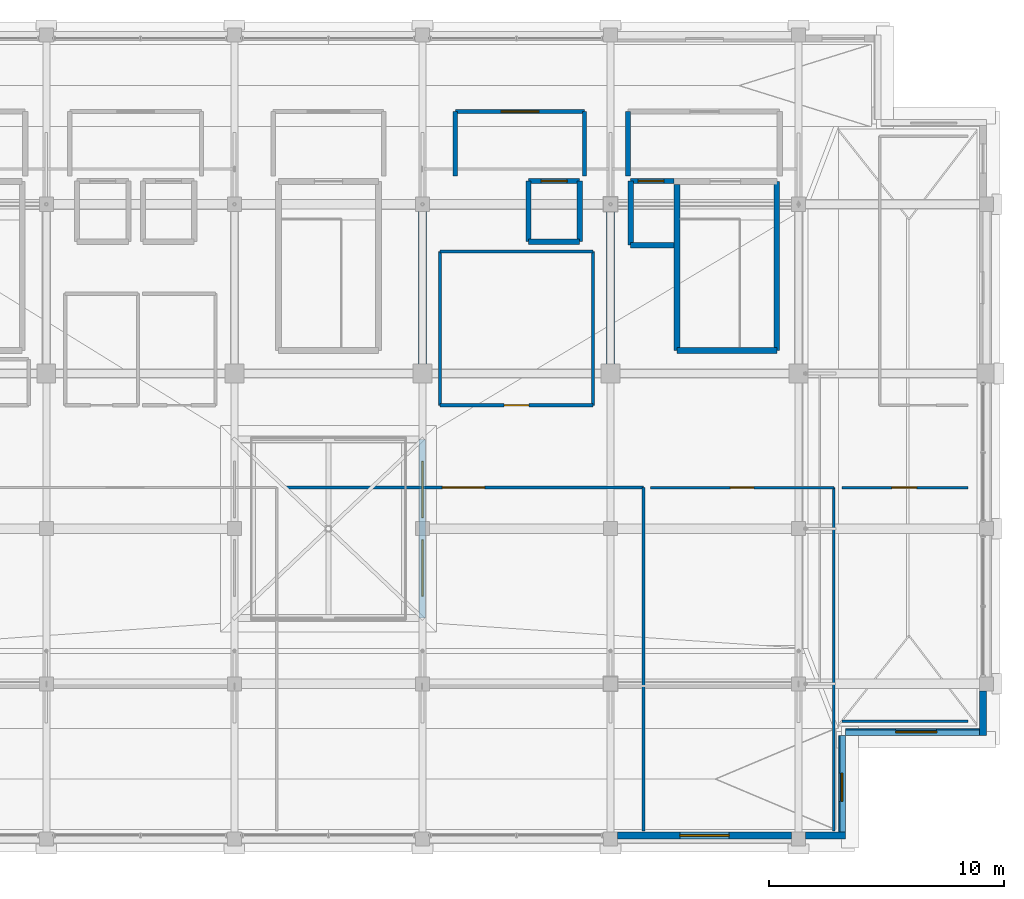
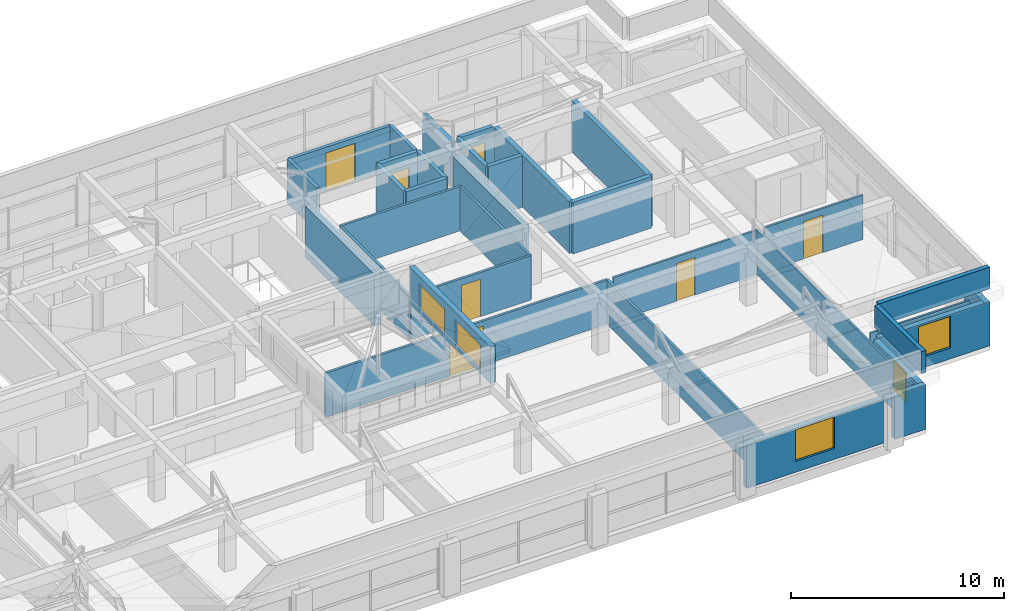
# One storey, part 36 of 39: 34 walls, 7 doors, 5 windows, 12 openings.
"""IFC4 building model written with IfcOpenShell, lengths in metres."""

from ifc_helpers import new_model, si_unit, direction, frame, frame_2d, origin, place, context, subcontext, project, spatial, rectangle, extrude, material, layer, layer_set, type_object, element, fill, save


model = new_model("IFC4")

# Units and contexts
model_context = context("Model", 3, precision=1e-05, world=origin(), true_north=direction((0.0, 1.0)))
body_context = subcontext(model_context, "Body", "Model", "MODEL_VIEW")
ifc_project = project(units=[si_unit("LENGTHUNIT", "METRE"), si_unit("AREAUNIT", "SQUARE_METRE"), si_unit("VOLUMEUNIT", "CUBIC_METRE"), si_unit("PLANEANGLEUNIT", "RADIAN"), si_unit("MASSUNIT", "GRAM", prefix="KILO")], contexts=[model_context])

# Site, building, storey
site_placement = place(None, origin())
site = spatial("IfcSite", under=ifc_project, at=site_placement, CompositionType="ELEMENT")
building_placement = place(site_placement, origin())
building = spatial("IfcBuilding", under=site, at=building_placement, Name="Akrevak Sports Hall", CompositionType="ELEMENT")
storey_placement = place(building_placement, frame((0.0, 0.0, 66.550048828125)))
storey = spatial("IfcBuildingStorey", under=building, at=storey_placement, Name="L17", CompositionType="ELEMENT", Elevation=66.550048828125)

# Wall, opening, window
ifc_material_1 = material(Name="Limestone Ashlar", Category="stone")
ifc_layer_1 = layer(ifc_material_1, 0.06005859375, Name="Limestone Ashlar")
ifc_material_2 = material(Name="Mineral Wool Thermal Insulation", Category="insulation")
ifc_layer_2 = layer(ifc_material_2, 0.090087890625, Name="Mineral Wool Thermal Insulation")
ifc_material_3 = material(Name="Concrete C40/50", Category="concrete")
ifc_layer_3 = layer(ifc_material_3, 0.14990234375, Name="Concrete C40/50")
ifc_layer_set_1 = layer_set([ifc_layer_1, ifc_layer_2, ifc_layer_3], Name="Limestone Ashlar / Mineral Wool Thermal Insulation / Concrete C40/50")
wall_type_1 = type_object("IfcWallType", Name="ARC-WL-EXT-300", PredefinedType="SOLIDWALL", material=ifc_layer_set_1)
wall_1_placement = place(storey_placement, frame((92.300048828125, 35.550048828125, 0.0), z_axis=(0.0, 0.0, 1.0), x_axis=(1.0, 0.0, 0.0)))
wall_1 = element("IfcWall", 1, at=wall_1_placement, inside=storey, type_object=wall_type_1, Name="Tower Stone Facade Wall L17-S06", PredefinedType="SOLIDWALL", context=body_context, shape_type="SweptSolid", body=[
    extrude(rectangle(XDim=7.39990234375, YDim=0.300048828125, at=frame_2d((3.699951171875, 0.0))), origin(), (0.0, 0.0, 1.0), 2.530029296875),
])
opening_1_placement = place(wall_1_placement, frame((2.64990234375, 0.0, 0.6201171875)))
opening_1 = element("IfcOpeningElement", 2, at=opening_1_placement, cuts=wall_1, Name="Opening WN-55", PredefinedType="OPENING", context=body_context, shape_type="SweptSolid", body=[
    extrude(rectangle(XDim=2.10009765625, YDim=1.81005859375, at=frame_2d((1.050048828125, 0.905029296875))), frame((0.0, 0.162109375, 0.0), z_axis=(0.0, -1.0, 0.0), x_axis=(1.0, 0.0, 0.0)), (0.0, 0.0, 1.0), 0.323974609375),
])
ifc_material_4 = material(Name="Thermally Broken Bronze Frame & Double Low-E Glass", Category="glass")
window_type_1 = type_object("IfcWindowType", Name="ARC-WIN-SZ-2100x1810", PartitioningType="SINGLE_PANEL", PredefinedType="WINDOW", material=ifc_material_4)
window_1_placement = place(opening_1_placement, origin())
window_1 = element("IfcWindow", 3, at=window_1_placement, inside=storey, type_object=window_type_1, Name="Tower Window L17-S06", OverallHeight=1.81005859375, OverallWidth=2.10009765625, PartitioningType="SINGLE_PANEL", PredefinedType="WINDOW", context=body_context, shape_type="SweptSolid", body=[
    extrude(rectangle(XDim=2.10009765625, YDim=1.81005859375, at=frame_2d((1.050048828125, 0.905029296875))), frame((0.0, 0.030029296875, 0.0), z_axis=(0.0, -1.0, 0.0), x_axis=(1.0, 0.0, 0.0)), (0.0, 0.0, 1.0), 0.06005859375),
])
fill(opening_1, window_1)

# Wall
wall_2_placement = place(storey_placement, frame((100.300048828125, 35.550048828125, 0.0), z_axis=(0.0, 0.0, 1.0), x_axis=(1.0, 0.0, 0.0)))
element("IfcWall", 4, at=wall_2_placement, inside=storey, type_object=wall_type_1, Name="Tower Stone Facade Wall L17-S07", PredefinedType="SOLIDWALL", context=body_context, shape_type="SweptSolid", body=[
    extrude(rectangle(XDim=1.699951171875, YDim=0.300048828125, at=frame_2d((0.85009765625, 0.0))), origin(), (0.0, 0.0, 1.0), 2.530029296875),
])

# Wall, opening, window
wall_3_placement = place(storey_placement, frame((101.85009765625, 35.39990234375, 0.0), z_axis=(0.0, 0.0, 1.0), x_axis=(0.0, 1.0, 0.0)))
wall_3 = element("IfcWall", 5, at=wall_3_placement, inside=storey, type_object=wall_type_1, Name="Tower Stone Facade Wall L17-E08", PredefinedType="SOLIDWALL", context=body_context, shape_type="SweptSolid", body=[
    extrude(rectangle(XDim=4.400146484375, YDim=0.300048828125, at=frame_2d((2.2001953125, 0.0))), origin(), (0.0, 0.0, 1.0), 2.530029296875),
])
opening_2_placement = place(wall_3_placement, frame((1.60009765625, 0.0, 0.6201171875)))
opening_2 = element("IfcOpeningElement", 6, at=opening_2_placement, cuts=wall_3, Name="Opening WN-13", PredefinedType="OPENING", context=body_context, shape_type="SweptSolid", body=[
    extrude(rectangle(XDim=1.199951171875, YDim=1.699951171875, at=frame_2d((0.60009765625, 0.85009765625))), frame((0.0, 0.162109375, 0.0), z_axis=(0.0, -1.0, 0.0), x_axis=(1.0, 0.0, 0.0)), (0.0, 0.0, 1.0), 0.323974609375),
])
window_type_2 = type_object("IfcWindowType", Name="ARC-WIN-TW-120x170", PartitioningType="SINGLE_PANEL", PredefinedType="WINDOW", material=ifc_material_4)
window_2_placement = place(opening_2_placement, origin())
window_2 = element("IfcWindow", 7, at=window_2_placement, inside=storey, type_object=window_type_2, Name="Tower Window L17-E08", OverallHeight=1.699951171875, OverallWidth=1.199951171875, PartitioningType="SINGLE_PANEL", PredefinedType="WINDOW", context=body_context, shape_type="SweptSolid", body=[
    extrude(rectangle(XDim=1.199951171875, YDim=1.699951171875, at=frame_2d((0.60009765625, 0.85009765625))), frame((0.0, 0.030029296875, 0.0), z_axis=(0.0, -1.0, 0.0), x_axis=(1.0, 0.0, 0.0)), (0.0, 0.0, 1.0), 0.06005859375),
])
fill(opening_2, window_2)

wall_4_placement = place(storey_placement, frame((102.0, 39.949951171875, 0.0), z_axis=(0.0, 0.0, 1.0), x_axis=(1.0, 0.0, 0.0)))
wall_4 = element("IfcWall", 8, at=wall_4_placement, inside=storey, type_object=wall_type_1, Name="Tower Stone Facade Wall L17-S09", PredefinedType="SOLIDWALL", context=body_context, shape_type="SweptSolid", body=[
    extrude(rectangle(XDim=6.0, YDim=0.300048828125, at=frame_2d((3.0, 0.0))), origin(), (0.0, 0.0, 1.0), 2.530029296875),
])
opening_3_placement = place(wall_4_placement, frame((2.125, 0.0, 0.6201171875)))
opening_3 = element("IfcOpeningElement", 9, at=opening_3_placement, cuts=wall_4, Name="Opening WN-56", PredefinedType="OPENING", context=body_context, shape_type="SweptSolid", body=[
    extrude(rectangle(XDim=1.75, YDim=1.81005859375, at=frame_2d((0.875, 0.905029296875))), frame((0.0, 0.162109375, 0.0), z_axis=(0.0, -1.0, 0.0), x_axis=(1.0, 0.0, 0.0)), (0.0, 0.0, 1.0), 0.323974609375),
])
window_type_3 = type_object("IfcWindowType", Name="ARC-WIN-SZ-1750x1810", PartitioningType="SINGLE_PANEL", PredefinedType="WINDOW", material=ifc_material_4)
window_3_placement = place(opening_3_placement, origin())
window_3 = element("IfcWindow", 10, at=window_3_placement, inside=storey, type_object=window_type_3, Name="Tower Window L17-S09", OverallHeight=1.81005859375, OverallWidth=1.75, PartitioningType="SINGLE_PANEL", PredefinedType="WINDOW", context=body_context, shape_type="SweptSolid", body=[
    extrude(rectangle(XDim=1.75, YDim=1.81005859375, at=frame_2d((0.875, 0.905029296875))), frame((0.0, 0.030029296875, 0.0), z_axis=(0.0, -1.0, 0.0), x_axis=(1.0, 0.0, 0.0)), (0.0, 0.0, 1.0), 0.06005859375),
])
fill(opening_3, window_3)

# Walls
wall_5_placement = place(storey_placement, frame((107.85009765625, 39.800048828125, 0.0), z_axis=(0.0, 0.0, 1.0), x_axis=(0.0, 1.0, 0.0)))
element("IfcWall", 11, at=wall_5_placement, inside=storey, type_object=wall_type_1, Name="Tower Stone Facade Wall L17-E10", PredefinedType="SOLIDWALL", context=body_context, shape_type="SweptSolid", body=[
    extrude(rectangle(XDim=1.89990234375, YDim=0.300048828125, at=frame_2d((0.949951171875, 0.0))), origin(), (0.0, 0.0, 1.0), 2.530029296875),
])
ifc_layer_4 = layer(ifc_material_1, 0.050048828125, Name="Limestone Ashlar")
ifc_layer_5 = layer(ifc_material_2, 0.0400390625, Name="Mineral Wool Thermal Insulation")
ifc_layer_6 = layer(ifc_material_3, 0.14990234375, Name="Concrete C40/50")
ifc_layer_set_2 = layer_set([ifc_layer_4, ifc_layer_5, ifc_layer_6], Name="Limestone Ashlar / Mineral Wool Thermal Insulation / Concrete C40/50")
wall_type_2 = type_object("IfcWallType", Name="ARC-WL-PAR-240", PredefinedType="PARAPET", material=ifc_layer_set_2)
wall_6_placement = place(storey_placement, frame((101.8798828125, 35.39990234375, 3.25), z_axis=(0.0, 0.0, 1.0), x_axis=(0.0, 1.0, 0.0)))
element("IfcWall", 12, at=wall_6_placement, inside=storey, type_object=wall_type_2, Name="Crown Main Roof Balustrade Parapet 2", PredefinedType="PARAPET", context=body_context, shape_type="SweptSolid", body=[
    extrude(rectangle(XDim=4.400146484375, YDim=0.239990234375, at=frame_2d((2.2001953125, 0.0))), origin(), (0.0, 0.0, 1.0), 1.25),
])
wall_7_placement = place(storey_placement, frame((102.0, 39.919921875, 3.25), z_axis=(0.0, 0.0, 1.0), x_axis=(1.0, 0.0, 0.0)))
element("IfcWall", 13, at=wall_7_placement, inside=storey, type_object=wall_type_2, Name="Crown Main Roof Balustrade Parapet 3", PredefinedType="PARAPET", context=body_context, shape_type="SweptSolid", body=[
    extrude(rectangle(XDim=6.0, YDim=0.239990234375, at=frame_2d((3.0, 0.0))), origin(), (0.0, 0.0, 1.0), 1.25),
])

# Wall, openings, windows
ifc_layer_7 = layer(ifc_material_1, 0.06005859375, Name="Limestone Ashlar")
ifc_layer_8 = layer(ifc_material_2, 0.0400390625, Name="Mineral Wool Thermal Insulation")
ifc_layer_9 = layer(ifc_material_3, 0.179931640625, Name="Concrete C40/50")
ifc_layer_set_3 = layer_set([ifc_layer_7, ifc_layer_8, ifc_layer_9], Name="Limestone Ashlar / Mineral Wool Thermal Insulation / Concrete C40/50")
wall_type_3 = type_object("IfcWallType", Name="ARC-WL-PAR-280", PredefinedType="PARAPET", material=ifc_layer_set_3)
wall_8_placement = place(storey_placement, frame((84.0, 44.800048828125, 3.25), z_axis=(0.0, 0.0, 1.0), x_axis=(0.0, 1.0, 0.0)))
wall_8 = element("IfcWall", 14, at=wall_8_placement, inside=storey, type_object=wall_type_3, Name="Crown Beaux-Arts Cupola Lantern Drum E Wall", PredefinedType="PARAPET", context=body_context, shape_type="SweptSolid", body=[
    extrude(rectangle(XDim=7.599853515625, YDim=0.280029296875, at=frame_2d((3.7998046875, 0.0))), origin(), (0.0, 0.0, 1.0), 2.099853515625),
])
opening_4_placement = place(wall_8_placement, frame((0.927978515625, 0.0, 0.199951171875)))
opening_4 = element("IfcOpeningElement", 15, at=opening_4_placement, cuts=wall_8, Name="Opening WN-63", PredefinedType="OPENING", context=body_context, shape_type="SweptSolid", body=[
    extrude(rectangle(XDim=2.39990234375, YDim=1.449951171875, at=frame_2d((1.199951171875, 0.72509765625))), frame((0.0, 0.15185546875, 0.0), z_axis=(0.0, -1.0, 0.0), x_axis=(1.0, 0.0, 0.0)), (0.0, 0.0, 1.0), 0.303955078125),
])
opening_5_placement = place(wall_8_placement, frame((4.27197265625, 0.0, 0.199951171875)))
opening_5 = element("IfcOpeningElement", 16, at=opening_5_placement, cuts=wall_8, Name="Opening WN-63", PredefinedType="OPENING", context=body_context, shape_type="SweptSolid", body=[
    extrude(rectangle(XDim=2.39990234375, YDim=1.449951171875, at=frame_2d((1.199951171875, 0.72509765625))), frame((0.0, 0.15185546875, 0.0), z_axis=(0.0, -1.0, 0.0), x_axis=(1.0, 0.0, 0.0)), (0.0, 0.0, 1.0), 0.303955078125),
])
window_type_4 = type_object("IfcWindowType", Name="ARC-WIN-SZ-2400x1450", PartitioningType="SINGLE_PANEL", PredefinedType="SKYLIGHT", material=ifc_material_4)
window_4_placement = place(opening_4_placement, origin())
window_4 = element("IfcWindow", 17, at=window_4_placement, inside=storey, type_object=window_type_4, Name="Cupola Lantern Skylight E.1", OverallHeight=1.449951171875, OverallWidth=2.39990234375, PartitioningType="SINGLE_PANEL", PredefinedType="SKYLIGHT", context=body_context, shape_type="SweptSolid", body=[
    extrude(rectangle(XDim=2.39990234375, YDim=1.449951171875, at=frame_2d((1.199951171875, 0.72509765625))), frame((0.0, 0.030029296875, 0.0), z_axis=(0.0, -1.0, 0.0), x_axis=(1.0, 0.0, 0.0)), (0.0, 0.0, 1.0), 0.06005859375),
])
fill(opening_4, window_4)
window_5_placement = place(opening_5_placement, origin())
window_5 = element("IfcWindow", 18, at=window_5_placement, inside=storey, type_object=window_type_4, Name="Cupola Lantern Skylight E.2", OverallHeight=1.449951171875, OverallWidth=2.39990234375, PartitioningType="SINGLE_PANEL", PredefinedType="SKYLIGHT", context=body_context, shape_type="SweptSolid", body=[
    extrude(rectangle(XDim=2.39990234375, YDim=1.449951171875, at=frame_2d((1.199951171875, 0.72509765625))), frame((0.0, 0.030029296875, 0.0), z_axis=(0.0, -1.0, 0.0), x_axis=(1.0, 0.0, 0.0)), (0.0, 0.0, 1.0), 0.06005859375),
])
fill(opening_5, window_5)

# Wall, opening, door
ifc_material_5 = material(Name="Lightweight Office Partition", Category="gypsum")
ifc_layer_10 = layer(ifc_material_5, 0.110107421875, Name="Lightweight Office Partition")
ifc_layer_set_4 = layer_set([ifc_layer_10], Name="Lightweight Office Partition")
wall_type_4 = type_object("IfcWallType", Name="ARC-WL-PRT-110", PredefinedType="PARTITIONING", material=ifc_layer_set_4)
wall_9_placement = place(storey_placement, frame((93.699951171875, 50.35009765625, 0.0), z_axis=(0.0, 0.0, 1.0), x_axis=(1.0, 0.0, 0.0)))
wall_9 = element("IfcWall", 19, at=wall_9_placement, inside=storey, type_object=wall_type_4, Name="Interior Partition Executive Summit Boardroom (L17) (N)", PredefinedType="PARTITIONING", context=body_context, shape_type="SweptSolid", body=[
    extrude(rectangle(XDim=7.800048828125, YDim=0.110107421875, at=frame_2d((3.89990234375, 0.0))), origin(), (0.0, 0.0, 1.0), 2.530029296875),
])
opening_6_placement = place(wall_9_placement, frame((3.39990234375, 0.0, 0.0)))
opening_6 = element("IfcOpeningElement", 20, at=opening_6_placement, cuts=wall_9, Name="Opening ID-06", PredefinedType="OPENING", context=body_context, shape_type="SweptSolid", body=[
    extrude(rectangle(XDim=1.0, YDim=2.14990234375, at=frame_2d((0.5, 1.074951171875))), frame((0.0, 0.06689453125, 0.0), z_axis=(0.0, -1.0, 0.0), x_axis=(1.0, 0.0, 0.0)), (0.0, 0.0, 1.0), 0.134033203125),
])
ifc_material_6 = material(Name="Hardwood Oak Acoustic Leaf", Category="wood")
door_type_1 = type_object("IfcDoorType", Name="ARC-DR-OFF-100x215", OperationType="NOTDEFINED", PredefinedType="DOOR", material=ifc_material_6)
door_1_placement = place(opening_6_placement, origin())
door_1 = element("IfcDoor", 21, at=door_1_placement, inside=storey, type_object=door_type_1, Name="Door to Executive Summit Boardroom (L17)", OperationType="SINGLE_SWING_LEFT", OverallHeight=2.14990234375, OverallWidth=1.0, PredefinedType="DOOR", context=body_context, shape_type="SweptSolid", body=[
    extrude(rectangle(XDim=1.0, YDim=2.14990234375, at=frame_2d((0.5, 1.074951171875))), frame((0.0, 0.02490234375, 0.0), z_axis=(0.0, -1.0, 0.0), x_axis=(1.0, 0.0, 0.0)), (0.0, 0.0, 1.0), 0.050048828125),
])
fill(opening_6, door_1)

# Walls
wall_10_placement = place(storey_placement, frame((101.5, 35.75, 0.0), z_axis=(0.0, 0.0, 1.0), x_axis=(0.0, 1.0, 0.0)))
element("IfcWall", 22, at=wall_10_placement, inside=storey, type_object=wall_type_4, Name="Interior Partition Executive Summit Boardroom (L17) (E)", PredefinedType="PARTITIONING", context=body_context, shape_type="SweptSolid", body=[
    extrude(rectangle(XDim=14.60009765625, YDim=0.110107421875, at=frame_2d((7.300048828125, 0.0))), origin(), (0.0, 0.0, 1.0), 2.530029296875),
])
wall_11_placement = place(storey_placement, frame((101.85009765625, 40.39990234375, 0.0), z_axis=(0.0, 0.0, 1.0), x_axis=(1.0, 0.0, 0.0)))
element("IfcWall", 23, at=wall_11_placement, inside=storey, type_object=wall_type_4, Name="Interior Partition International Summit Secretariat East (L17) (S)", PredefinedType="PARTITIONING", context=body_context, shape_type="SweptSolid", body=[
    extrude(rectangle(XDim=5.349853515625, YDim=0.110107421875, at=frame_2d((2.6748046875, 0.0))), origin(), (0.0, 0.0, 1.0), 2.530029296875),
])

# Wall, opening, door
wall_12_placement = place(storey_placement, frame((101.85009765625, 50.35009765625, 0.0), z_axis=(0.0, 0.0, 1.0), x_axis=(1.0, 0.0, 0.0)))
wall_12 = element("IfcWall", 24, at=wall_12_placement, inside=storey, type_object=wall_type_4, Name="Interior Partition International Summit Secretariat East (L17) (N)", PredefinedType="PARTITIONING", context=body_context, shape_type="SweptSolid", body=[
    extrude(rectangle(XDim=5.349853515625, YDim=0.110107421875, at=frame_2d((2.6748046875, 0.0))), origin(), (0.0, 0.0, 1.0), 2.530029296875),
])
opening_7_placement = place(wall_12_placement, frame((2.125, 0.0, 0.0)))
opening_7 = element("IfcOpeningElement", 25, at=opening_7_placement, cuts=wall_12, Name="Opening ID-05", PredefinedType="OPENING", context=body_context, shape_type="SweptSolid", body=[
    extrude(rectangle(XDim=1.050048828125, YDim=2.14990234375, at=frame_2d((0.52490234375, 1.074951171875))), frame((0.0, 0.06689453125, 0.0), z_axis=(0.0, -1.0, 0.0), x_axis=(1.0, 0.0, 0.0)), (0.0, 0.0, 1.0), 0.134033203125),
])
door_type_2 = type_object("IfcDoorType", Name="ARC-DR-OFF-105x215", OperationType="NOTDEFINED", PredefinedType="DOOR", material=ifc_material_6)
door_2_placement = place(opening_7_placement, origin())
door_2 = element("IfcDoor", 26, at=door_2_placement, inside=storey, type_object=door_type_2, Name="Door to International Summit Secretariat East (L17)", OperationType="SINGLE_SWING_LEFT", OverallHeight=2.14990234375, OverallWidth=1.050048828125, PredefinedType="DOOR", context=body_context, shape_type="SweptSolid", body=[
    extrude(rectangle(XDim=1.050048828125, YDim=2.14990234375, at=frame_2d((0.52490234375, 1.074951171875))), frame((0.0, 0.02490234375, 0.0), z_axis=(0.0, -1.0, 0.0), x_axis=(1.0, 0.0, 0.0)), (0.0, 0.0, 1.0), 0.050048828125),
])
fill(opening_7, door_2)

ifc_material_7 = material(Name="Acoustic Metal Stud Partition", Category="gypsum")
ifc_layer_11 = layer(ifc_material_7, 0.1298828125, Name="Acoustic Metal Stud Partition")
ifc_layer_set_5 = layer_set([ifc_layer_11], Name="Acoustic Metal Stud Partition")
wall_type_5 = type_object("IfcWallType", Name="ARC-WL-PRT-130", PredefinedType="PARTITIONING", material=ifc_layer_set_5)
wall_13_placement = place(storey_placement, frame((78.10009765625, 50.35009765625, 0.0), z_axis=(0.0, 0.0, 1.0), x_axis=(1.0, 0.0, 0.0)))
wall_13 = element("IfcWall", 27, at=wall_13_placement, inside=storey, type_object=wall_type_5, Name="Interior Partition Crown Panorama Honors Gallery (L17) (N)", PredefinedType="PARTITIONING", context=body_context, shape_type="SweptSolid", body=[
    extrude(rectangle(XDim=15.2998046875, YDim=0.1298828125, at=frame_2d((7.64990234375, 0.0))), origin(), (0.0, 0.0, 1.0), 2.530029296875),
])
opening_8_placement = place(wall_13_placement, frame((6.75, 0.0, 0.0)))
opening_8 = element("IfcOpeningElement", 28, at=opening_8_placement, cuts=wall_13, Name="Opening ID-02", PredefinedType="OPENING", context=body_context, shape_type="SweptSolid", body=[
    extrude(rectangle(XDim=1.800048828125, YDim=2.25, at=frame_2d((0.89990234375, 1.125))), frame((0.0, 0.076904296875, 0.0), z_axis=(0.0, -1.0, 0.0), x_axis=(1.0, 0.0, 0.0)), (0.0, 0.0, 1.0), 0.15380859375),
])
ifc_material_8 = material(Name="Hardwood Oak & Safety Glass", Category="wood")
door_type_3 = type_object("IfcDoorType", Name="ARC-DR-HALL-180x225", OperationType="DOUBLE_DOOR_SINGLE_SWING", PredefinedType="DOOR", material=ifc_material_8)
door_3_placement = place(opening_8_placement, origin())
door_3 = element("IfcDoor", 29, at=door_3_placement, inside=storey, type_object=door_type_3, Name="Door to Crown Panorama Honors Gallery (L17)", OperationType="DOUBLE_DOOR_SINGLE_SWING", OverallHeight=2.25, OverallWidth=1.800048828125, PredefinedType="DOOR", context=body_context, shape_type="SweptSolid", body=[
    extrude(rectangle(XDim=1.800048828125, YDim=2.25, at=frame_2d((0.89990234375, 1.125))), frame((0.0, 0.02490234375, 0.0), z_axis=(0.0, -1.0, 0.0), x_axis=(1.0, 0.0, 0.0)), (0.0, 0.0, 1.0), 0.050048828125),
])
fill(opening_8, door_3)

# Wall
wall_14_placement = place(storey_placement, frame((93.39990234375, 35.75, 0.0), z_axis=(0.0, 0.0, 1.0), x_axis=(0.0, 1.0, 0.0)))
element("IfcWall", 30, at=wall_14_placement, inside=storey, type_object=wall_type_5, Name="Interior Partition Crown Panorama Honors Gallery (L17) (E)", PredefinedType="PARTITIONING", context=body_context, shape_type="SweptSolid", body=[
    extrude(rectangle(XDim=14.60009765625, YDim=0.1298828125, at=frame_2d((7.300048828125, 0.0))), origin(), (0.0, 0.0, 1.0), 2.530029296875),
])

# Wall, opening, door
wall_15_placement = place(storey_placement, frame((84.75, 53.85009765625, 0.0), z_axis=(0.0, 0.0, 1.0), x_axis=(1.0, 0.0, 0.0)))
wall_15 = element("IfcWall", 31, at=wall_15_placement, inside=storey, type_object=wall_type_5, Name="Interior Partition Federation Officiating Office East (L17) (S)", PredefinedType="PARTITIONING", context=body_context, shape_type="SweptSolid", body=[
    extrude(rectangle(XDim=6.5, YDim=0.1298828125, at=frame_2d((3.25, 0.0))), origin(), (0.0, 0.0, 1.0), 2.530029296875),
])
opening_9_placement = place(wall_15_placement, frame((2.72509765625, 0.0, 0.0)))
opening_9 = element("IfcOpeningElement", 32, at=opening_9_placement, cuts=wall_15, Name="Opening ID-05", PredefinedType="OPENING", context=body_context, shape_type="SweptSolid", body=[
    extrude(rectangle(XDim=1.050048828125, YDim=2.14990234375, at=frame_2d((0.52490234375, 1.074951171875))), frame((0.0, 0.076904296875, 0.0), z_axis=(0.0, -1.0, 0.0), x_axis=(1.0, 0.0, 0.0)), (0.0, 0.0, 1.0), 0.15380859375),
])
door_4_placement = place(opening_9_placement, frame((1.050048828125, 0.0, 0.0), z_axis=(0.0, 0.0, 1.0), x_axis=(-1.0, 0.0, 0.0)))
door_4 = element("IfcDoor", 33, at=door_4_placement, inside=storey, type_object=door_type_2, Name="Door to Federation Officiating Office East (L17)", OperationType="SINGLE_SWING_RIGHT", OverallHeight=2.14990234375, OverallWidth=1.050048828125, PredefinedType="DOOR", context=body_context, shape_type="SweptSolid", body=[
    extrude(rectangle(XDim=1.050048828125, YDim=2.14990234375, at=frame_2d((0.52490234375, 1.074951171875))), frame((0.0, 0.02490234375, 0.0), z_axis=(0.0, -1.0, 0.0), x_axis=(1.0, 0.0, 0.0)), (0.0, 0.0, 1.0), 0.050048828125),
])
fill(opening_9, door_4)

# Walls
wall_16_placement = place(storey_placement, frame((84.75, 60.39990234375, 0.0), z_axis=(0.0, 0.0, 1.0), x_axis=(1.0, 0.0, 0.0)))
element("IfcWall", 34, at=wall_16_placement, inside=storey, type_object=wall_type_5, Name="Interior Partition Federation Officiating Office East (L17) (N)", PredefinedType="PARTITIONING", context=body_context, shape_type="SweptSolid", body=[
    extrude(rectangle(XDim=6.5, YDim=0.1298828125, at=frame_2d((3.25, 0.0))), origin(), (0.0, 0.0, 1.0), 2.530029296875),
])
for number, where, z_axis, x_axis, name in (
    (35, (84.75, 53.85009765625, 0.0), (0.0, 0.0, 1.0), (0.0, 1.0, 0.0), "Interior Partition Federation Officiating Office East (L17) (W)"),
    (36, (91.25, 53.85009765625, 0.0), (0.0, 0.0, 1.0), (0.0, 1.0, 0.0), "Interior Partition Federation Officiating Office East (L17) (E)"),
):
    element("IfcWall", number, at=place(storey_placement, frame(where, z_axis=z_axis, x_axis=x_axis)), inside=storey, type_object=wall_type_5, Name=name, PredefinedType="PARTITIONING", context=body_context, shape_type="SweptSolid", body=[
        extrude(rectangle(XDim=6.5498046875, YDim=0.1298828125, at=frame_2d((3.27490234375, 0.0))), origin(), (0.0, 0.0, 1.0), 2.530029296875),
    ])

# Wall, opening, door
ifc_material_9 = material(Name="Autoclaved Aerated Masonry Block", Category="masonry")
ifc_layer_12 = layer(ifc_material_9, 0.179931640625, Name="Autoclaved Aerated Masonry Block")
ifc_layer_set_6 = layer_set([ifc_layer_12], Name="Autoclaved Aerated Masonry Block")
wall_type_6 = type_object("IfcWallType", Name="ARC-WL-PRT-180", PredefinedType="PARTITIONING", material=ifc_layer_set_6)
wall_17_placement = place(storey_placement, frame((85.39990234375, 66.35009765625, 0.0), z_axis=(0.0, 0.0, 1.0), x_axis=(1.0, 0.0, 0.0)))
wall_17 = element("IfcWall", 37, at=wall_17_placement, inside=storey, type_object=wall_type_6, Name="Interior Partition East Passenger Lift Lobby L17 (N)", PredefinedType="PARTITIONING", context=body_context, shape_type="SweptSolid", body=[
    extrude(rectangle(XDim=5.5, YDim=0.179931640625, at=frame_2d((2.75, 0.0))), origin(), (0.0, 0.0, 1.0), 2.530029296875),
])
opening_10_placement = place(wall_17_placement, frame((1.949951171875, 0.0, 0.0)))
opening_10 = element("IfcOpeningElement", 38, at=opening_10_placement, cuts=wall_17, Name="Opening ID-03", PredefinedType="OPENING", context=body_context, shape_type="SweptSolid", body=[
    extrude(rectangle(XDim=1.60009765625, YDim=2.199951171875, at=frame_2d((0.800048828125, 1.10009765625))), frame((0.0, 0.10205078125, 0.0), z_axis=(0.0, -1.0, 0.0), x_axis=(1.0, 0.0, 0.0)), (0.0, 0.0, 1.0), 0.203857421875),
])
door_type_4 = type_object("IfcDoorType", Name="ARC-DR-HALL-160x220", OperationType="DOUBLE_DOOR_SINGLE_SWING", PredefinedType="DOOR", material=ifc_material_8)
door_5_placement = place(opening_10_placement, origin())
door_5 = element("IfcDoor", 39, at=door_5_placement, inside=storey, type_object=door_type_4, Name="Door to East Passenger Lift Lobby L17", OperationType="DOUBLE_DOOR_SINGLE_SWING", OverallHeight=2.199951171875, OverallWidth=1.60009765625, PredefinedType="DOOR", context=body_context, shape_type="SweptSolid", body=[
    extrude(rectangle(XDim=1.60009765625, YDim=2.199951171875, at=frame_2d((0.800048828125, 1.10009765625))), frame((0.0, 0.02490234375, 0.0), z_axis=(0.0, -1.0, 0.0), x_axis=(1.0, 0.0, 0.0)), (0.0, 0.0, 1.0), 0.050048828125),
])
fill(opening_10, door_5)

# Walls
for number, where, z_axis, x_axis, name in (
    (40, (85.39990234375, 63.60009765625, 0.0), (0.0, 0.0, 1.0), (0.0, 1.0, 0.0), "Interior Partition East Passenger Lift Lobby L17 (W)"),
    (41, (90.89990234375, 63.60009765625, 0.0), (0.0, 0.0, 1.0), (0.0, 1.0, 0.0), "Interior Partition East Passenger Lift Lobby L17 (E)"),
):
    element("IfcWall", number, at=place(storey_placement, frame(where, z_axis=z_axis, x_axis=x_axis)), inside=storey, type_object=wall_type_6, Name=name, PredefinedType="PARTITIONING", context=body_context, shape_type="SweptSolid", body=[
        extrude(rectangle(XDim=2.75, YDim=0.179931640625, at=frame_2d((1.375, 0.0))), origin(), (0.0, 0.0, 1.0), 2.530029296875),
    ])
ifc_layer_13 = layer(ifc_material_3, 0.219970703125, Name="Concrete C40/50")
ifc_layer_set_7 = layer_set([ifc_layer_13], Name="Concrete C40/50")
wall_type_7 = type_object("IfcWallType", Name="ARC-WL-PRT-220", PredefinedType="PARTITIONING", material=ifc_layer_set_7)
wall_18_placement = place(storey_placement, frame((92.75, 63.60009765625, 0.0), z_axis=(0.0, 0.0, 1.0), x_axis=(0.0, 1.0, 0.0)))
element("IfcWall", 42, at=wall_18_placement, inside=storey, type_object=wall_type_7, Name="Interior Partition Firefighting Lobby East L17 (W)", PredefinedType="PARTITIONING", context=body_context, shape_type="SweptSolid", body=[
    extrude(rectangle(XDim=2.75, YDim=0.219970703125, at=frame_2d((1.375, 0.0))), origin(), (0.0, 0.0, 1.0), 2.530029296875),
])
ifc_material_10 = material(Name="Concrete C50/60", Category="concrete")
ifc_layer_14 = layer(ifc_material_10, 0.219970703125, Name="Concrete C50/60")
ifc_layer_set_8 = layer_set([ifc_layer_14], Name="Concrete C50/60")
wall_type_8 = type_object("IfcWallType", Name="ARC-WL-SHAFT-220", PredefinedType="SHEAR", material=ifc_layer_set_8)
wall_19_placement = place(storey_placement, frame((92.860107421875, 60.659912109375, 0.0), z_axis=(0.0, 0.0, 1.0), x_axis=(1.0, 0.0, 0.0)))
element("IfcWall", 43, at=wall_19_placement, inside=storey, type_object=wall_type_8, Name="Lift Shaft LF-FF2 Wall S (L17)", PredefinedType="SHEAR", context=body_context, shape_type="SweptSolid", body=[
    extrude(rectangle(XDim=1.83984375, YDim=0.219970703125, at=frame_2d((0.919921875, 0.0))), origin(), (0.0, 0.0, 1.0), 2.949951171875),
])

# Wall, opening, door
wall_20_placement = place(storey_placement, frame((94.699951171875, 63.389892578125, 0.0), z_axis=(0.0, 0.0, 1.0), x_axis=(-1.0, 0.0, 0.0)))
wall_20 = element("IfcWall", 44, at=wall_20_placement, inside=storey, type_object=wall_type_8, Name="Lift Shaft LF-FF2 Wall N (L17)", PredefinedType="SHEAR", context=body_context, shape_type="SweptSolid", body=[
    extrude(rectangle(XDim=1.83984375, YDim=0.219970703125, at=frame_2d((0.919921875, 0.0))), origin(), (0.0, 0.0, 1.0), 2.949951171875),
])
opening_11_placement = place(wall_20_placement, frame((0.425048828125, 0.0, 0.0)))
opening_11 = element("IfcOpeningElement", 45, at=opening_11_placement, cuts=wall_20, Name="Opening LD-01", PredefinedType="OPENING", context=body_context, shape_type="SweptSolid", body=[
    extrude(rectangle(XDim=1.10009765625, YDim=2.199951171875, at=frame_2d((0.550048828125, 1.10009765625))), frame((0.0, 0.1220703125, 0.0), z_axis=(0.0, -1.0, 0.0), x_axis=(1.0, 0.0, 0.0)), (0.0, 0.0, 1.0), 0.243896484375),
])
ifc_material_11 = material(Name="Brushed Stainless Steel 304", Category="steel")
door_type_5 = type_object("IfcDoorType", Name="ARC-DR-LD-110x220", OperationType="SLIDING_TO_LEFT", PredefinedType="DOOR", material=ifc_material_11)
door_6_placement = place(opening_11_placement, origin())
door_6 = element("IfcDoor", 46, at=door_6_placement, inside=storey, type_object=door_type_5, Name="Lift LF-FF2 Sliding Landing Door (L17)", OperationType="SLIDING_TO_RIGHT", OverallHeight=2.199951171875, OverallWidth=1.10009765625, PredefinedType="DOOR", context=body_context, shape_type="SweptSolid", body=[
    extrude(rectangle(XDim=1.10009765625, YDim=2.199951171875, at=frame_2d((0.550048828125, 1.10009765625))), frame((0.0, 0.02490234375, 0.0), z_axis=(0.0, -1.0, 0.0), x_axis=(1.0, 0.0, 0.0)), (0.0, 0.0, 1.0), 0.050048828125),
])
fill(opening_11, door_6)

# Walls
wall_21_placement = place(storey_placement, frame((92.860107421875, 63.389892578125, 0.0), z_axis=(0.0, 0.0, 1.0), x_axis=(0.0, -1.0, 0.0)))
element("IfcWall", 47, at=wall_21_placement, inside=storey, type_object=wall_type_8, Name="Lift Shaft LF-FF2 Wall W (L17)", PredefinedType="SHEAR", context=body_context, shape_type="SweptSolid", body=[
    extrude(rectangle(XDim=2.72998046875, YDim=0.219970703125, at=frame_2d((1.364990234375, 0.0))), origin(), (0.0, 0.0, 1.0), 2.949951171875),
])
wall_22_placement = place(storey_placement, frame((88.510009765625, 60.81005859375, 0.0), z_axis=(0.0, 0.0, 1.0), x_axis=(1.0, 0.0, 0.0)))
element("IfcWall", 48, at=wall_22_placement, inside=storey, type_object=wall_type_8, Name="Lift Shaft LF-P4 Wall S (L17)", PredefinedType="SHEAR", context=body_context, shape_type="SweptSolid", body=[
    extrude(rectangle(XDim=2.179931640625, YDim=0.219970703125, at=frame_2d((1.08984375, 0.0))), origin(), (0.0, 0.0, 1.0), 2.949951171875),
])

# Wall, opening, door
wall_23_placement = place(storey_placement, frame((90.68994140625, 63.389892578125, 0.0), z_axis=(0.0, 0.0, 1.0), x_axis=(-1.0, 0.0, 0.0)))
wall_23 = element("IfcWall", 49, at=wall_23_placement, inside=storey, type_object=wall_type_8, Name="Lift Shaft LF-P4 Wall N (L17)", PredefinedType="SHEAR", context=body_context, shape_type="SweptSolid", body=[
    extrude(rectangle(XDim=2.179931640625, YDim=0.219970703125, at=frame_2d((1.08984375, 0.0))), origin(), (0.0, 0.0, 1.0), 2.949951171875),
])
opening_12_placement = place(wall_23_placement, frame((0.5400390625, 0.0, 0.0)))
opening_12 = element("IfcOpeningElement", 50, at=opening_12_placement, cuts=wall_23, Name="Opening LD-01", PredefinedType="OPENING", context=body_context, shape_type="SweptSolid", body=[
    extrude(rectangle(XDim=1.10009765625, YDim=2.199951171875, at=frame_2d((0.550048828125, 1.10009765625))), frame((0.0, 0.1220703125, 0.0), z_axis=(0.0, -1.0, 0.0), x_axis=(1.0, 0.0, 0.0)), (0.0, 0.0, 1.0), 0.243896484375),
])
door_7_placement = place(opening_12_placement, origin())
door_7 = element("IfcDoor", 51, at=door_7_placement, inside=storey, type_object=door_type_5, Name="Lift LF-P4 Sliding Landing Door (L17)", OperationType="SLIDING_TO_RIGHT", OverallHeight=2.199951171875, OverallWidth=1.10009765625, PredefinedType="DOOR", context=body_context, shape_type="SweptSolid", body=[
    extrude(rectangle(XDim=1.10009765625, YDim=2.199951171875, at=frame_2d((0.550048828125, 1.10009765625))), frame((0.0, 0.02490234375, 0.0), z_axis=(0.0, -1.0, 0.0), x_axis=(1.0, 0.0, 0.0)), (0.0, 0.0, 1.0), 0.050048828125),
])
fill(opening_12, door_7)

# Walls
for number, where, z_axis, x_axis, name in (
    (52, (88.510009765625, 63.389892578125, 0.0), (0.0, 0.0, 1.0), (0.0, -1.0, 0.0), "Lift Shaft LF-P4 Wall W (L17)"),
    (53, (90.68994140625, 60.81005859375, 0.0), (0.0, 0.0, 1.0), (0.0, 1.0, 0.0), "Lift Shaft LF-P4 Wall E (L17)"),
):
    element("IfcWall", number, at=place(storey_placement, frame(where, z_axis=z_axis, x_axis=x_axis)), inside=storey, type_object=wall_type_8, Name=name, PredefinedType="SHEAR", context=body_context, shape_type="SweptSolid", body=[
        extrude(rectangle(XDim=2.579833984375, YDim=0.219970703125, at=frame_2d((1.2900390625, 0.0))), origin(), (0.0, 0.0, 1.0), 2.949951171875),
    ])
ifc_layer_15 = layer(ifc_material_10, 0.35009765625, Name="Concrete C50/60")
ifc_layer_set_9 = layer_set([ifc_layer_15], Name="Concrete C50/60")
wall_type_9 = type_object("IfcWallType", Name="STR-WL-CORE-350", PredefinedType="SHEAR", material=ifc_layer_set_9)
for number, where, z_axis, x_axis, name in (
    (54, (84.0, 55.60009765625, 0.0), (0.0, 0.0, 1.0), (0.0, 1.0, 0.0), "Reinforced Concrete Shear Wall SW-C2 (L17)"),
    (55, (92.0, 55.60009765625, 0.0), (0.0, 0.0, 1.0), (0.0, 1.0, 0.0), "Reinforced Concrete Shear Wall SW-E1 (L17)"),
):
    element("IfcWall", number, at=place(storey_placement, frame(where, z_axis=z_axis, x_axis=x_axis)), inside=storey, type_object=wall_type_9, Name=name, PredefinedType="SHEAR", context=body_context, shape_type="SweptSolid", body=[
        extrude(rectangle(XDim=6.5, YDim=0.35009765625, at=frame_2d((3.25, 0.0))), origin(), (0.0, 0.0, 1.0), 2.949951171875),
    ])
ifc_layer_16 = layer(ifc_material_10, 0.25, Name="Concrete C50/60")
ifc_layer_set_10 = layer_set([ifc_layer_16], Name="Concrete C50/60")
wall_type_10 = type_object("IfcWallType", Name="STR-WL-STAIR-250", PredefinedType="SHEAR", material=ifc_layer_set_10)
wall_24_placement = place(storey_placement, frame((94.824951171875, 56.175048828125, 0.0), z_axis=(0.0, 0.0, 1.0), x_axis=(1.0, 0.0, 0.0)))
element("IfcWall", 56, at=wall_24_placement, inside=storey, type_object=wall_type_10, Name="Stair Core ST2 Shear Wall S (L17)", PredefinedType="SHEAR", context=body_context, shape_type="SweptSolid", body=[
    extrude(rectangle(XDim=4.25, YDim=0.25, at=frame_2d((2.125, 0.0))), origin(), (0.0, 0.0, 1.0), 2.949951171875),
])
wall_25_placement = place(storey_placement, frame((94.824951171875, 63.25, 0.0), z_axis=(0.0, 0.0, 1.0), x_axis=(0.0, -1.0, 0.0)))
element("IfcWall", 57, at=wall_25_placement, inside=storey, type_object=wall_type_10, Name="Stair Core ST2 Shear Wall W (L17)", PredefinedType="SHEAR", context=body_context, shape_type="SweptSolid", body=[
    extrude(rectangle(XDim=7.074951171875, YDim=0.25, at=frame_2d((3.53759765625, 0.0))), origin(), (0.0, 0.0, 1.0), 2.949951171875),
])
wall_26_placement = place(storey_placement, frame((99.074951171875, 56.175048828125, 0.0), z_axis=(0.0, 0.0, 1.0), x_axis=(0.0, 1.0, 0.0)))
element("IfcWall", 58, at=wall_26_placement, inside=storey, type_object=wall_type_10, Name="Stair Core ST2 Shear Wall E (L17)", PredefinedType="SHEAR", context=body_context, shape_type="SweptSolid", body=[
    extrude(rectangle(XDim=7.199951171875, YDim=0.25, at=frame_2d((3.60009765625, 0.0))), origin(), (0.0, 0.0, 1.0), 2.949951171875),
])

save(model, "model.ifc")
